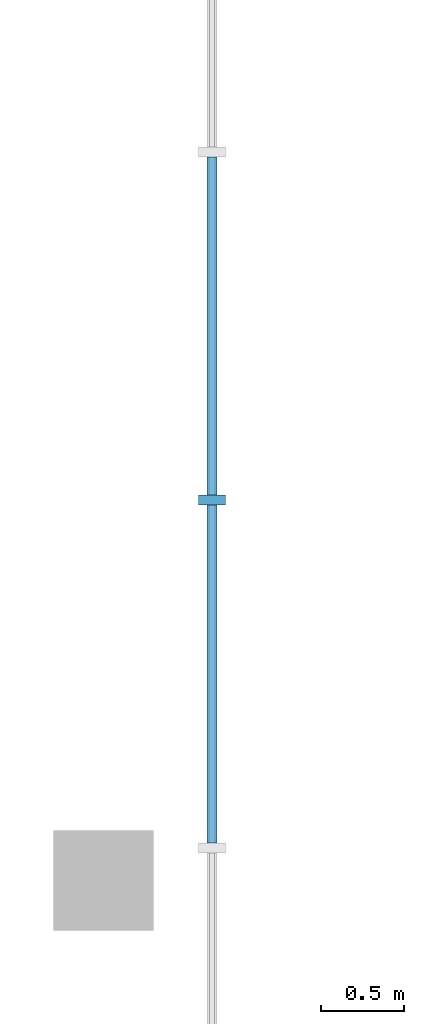
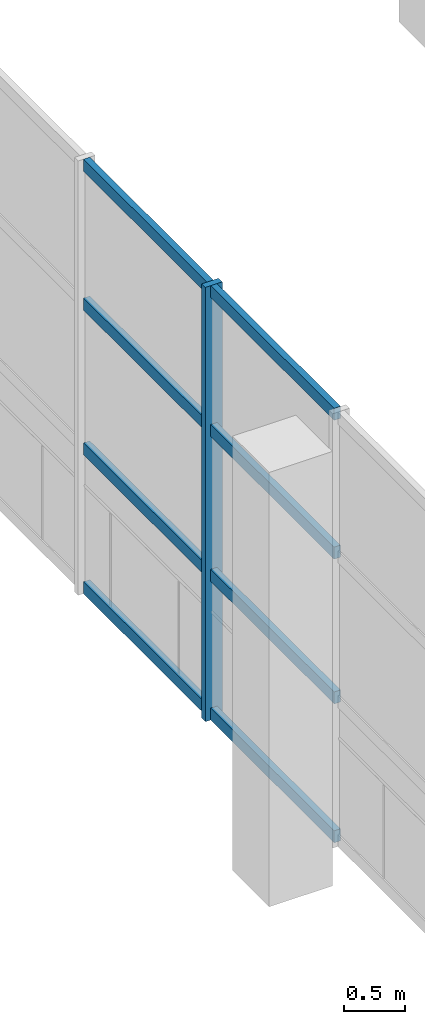
# One storey, part 22 of 67: 9 members, 1 element without a shape of its own.
"""IFC4 building model written with IfcOpenShell, lengths in metres."""

import ifcopenshell
import ifcopenshell.guid

model = None  # the IFC model being written
_history = None  # IfcOwnerHistory: only IFC2X3 demands one
_inside = {}  # id of a spatial element -> (the spatial element, [elements in it])
_under = {}  # id of a project, library or spatial element -> (it, [spatial elements below it])
_declared = {}  # id of a project -> (the project, [libraries it declares])
_typed = {}  # id of a type object -> (the type object, [elements of that type])
_made_of = {}  # id of a material, layer set ... -> (it, [elements and type objects made of it])


def new_model(schema):
    """Start an empty IFC model of exactly this schema.

    Asked for "IFC4X3", IfcOpenShell would pick the latest addendum, in which some entities
    have other attributes; the version numbers below select the first issue.
    IFC2X3 requires an IfcOwnerHistory on every rooted entity: one is made here for all.
    """
    global model, _history
    if schema == "IFC4X3":
        model = ifcopenshell.file(schema_version=(4, 3, 0, 0))
    else:
        model = ifcopenshell.file(schema=schema)
    _inside.clear()
    _under.clear()
    _declared.clear()
    _typed.clear()
    _made_of.clear()
    _history = None
    if model.schema == "IFC2X3":
        org = make("IfcOrganization", Name="unknown")
        user = make(
            "IfcPersonAndOrganization",
            ThePerson=make("IfcPerson", FamilyName="unknown"),
            TheOrganization=org,
        )
        app = make(
            "IfcApplication",
            ApplicationDeveloper=org,
            Version="unknown",
            ApplicationFullName="unknown",
            ApplicationIdentifier="unknown",
        )
        _history = make(
            "IfcOwnerHistory",
            OwningUser=user,
            OwningApplication=app,
            ChangeAction="ADDED",
            CreationDate=0,
        )
    return model


def make(cls, **values):
    """One entity of the class cls with the attributes given. An attribute that is None is left unset."""
    return model.create_entity(
        cls, **{name: value for name, value in values.items() if value is not None}
    )


def rooted(cls, **values):
    """An entity with a GlobalId (a new one), such as an element, a storey or a relation."""
    return make(cls, GlobalId=ifcopenshell.guid.new(), OwnerHistory=_history, **values)


def si_unit(unit_type, name, prefix=None):
    """IfcSIUnit, for example si_unit("LENGTHUNIT", "METRE", prefix="MILLI")."""
    return make("IfcSIUnit", UnitType=unit_type, Prefix=prefix, Name=name)


def assignment(units):
    """IfcUnitAssignment: the units of a project."""
    return None if units is None else make("IfcUnitAssignment", Units=units)


def point(xyz):
    """IfcCartesianPoint."""
    return None if xyz is None else make("IfcCartesianPoint", Coordinates=xyz)


def direction(xyz):
    """IfcDirection."""
    return None if xyz is None else make("IfcDirection", DirectionRatios=xyz)


def frame(location, z_axis=None, x_axis=None):
    """IfcAxis2Placement3D, a coordinate frame: its origin and axes. An axis left out is left unset."""
    return make(
        "IfcAxis2Placement3D",
        Location=point(location),
        Axis=direction(z_axis),
        RefDirection=direction(x_axis),
    )


def frame_2d(location, x_axis=None):
    """IfcAxis2Placement2D, a coordinate frame in the plane: its origin and x axis."""
    return make(
        "IfcAxis2Placement2D", Location=point(location), RefDirection=direction(x_axis)
    )


def origin():
    """The frame at (0, 0, 0) with its axes left unset."""
    return frame((0.0, 0.0, 0.0))


def origin_2d():
    """The frame at (0, 0) in the plane with its x axis left unset."""
    return frame_2d((0.0, 0.0))


def place(relative_to, where):
    """IfcLocalPlacement: puts the frame where relative to a parent placement (None: the world)."""
    return make(
        "IfcLocalPlacement", PlacementRelTo=relative_to, RelativePlacement=where
    )


def context(
    kind, dimensions, precision=None, world=None, true_north=None, identifier=None
):
    """IfcGeometricRepresentationContext, for example the 3D "Model" context."""
    return make(
        "IfcGeometricRepresentationContext",
        ContextIdentifier=identifier,
        ContextType=kind,
        CoordinateSpaceDimension=dimensions,
        Precision=precision,
        WorldCoordinateSystem=world,
        TrueNorth=true_north,
    )


def subcontext(parent, identifier, kind, view, scale=None):
    """IfcGeometricRepresentationSubContext, for example "Body" below "Model"."""
    return make(
        "IfcGeometricRepresentationSubContext",
        ContextIdentifier=identifier,
        ContextType=kind,
        ParentContext=parent,
        TargetScale=scale,
        TargetView=view,
    )


def project(units=None, contexts=None):
    """IfcProject with its units and contexts."""
    return rooted(
        "IfcProject",
        Name="project",
        RepresentationContexts=contexts,
        UnitsInContext=assignment(units),
    )


def spatial(cls, under=None, at=None, **own):
    """A site, building, storey or space (cls), placed at a placement, below another one or the project."""
    s = rooted(cls, ObjectPlacement=at, **own)
    if under is not None:
        _under.setdefault(under.id(), (under, []))[1].append(s)
    return s


def profile(cls, at=None, kind="AREA", **sizes):
    """A parametric profile (cls). Its sizes go by their IFC names, for example OverallWidth=200.0."""
    return make(cls, ProfileType=kind, Position=at, **sizes)


def rectangle(**sizes):
    """IfcRectangleProfileDef."""
    return profile("IfcRectangleProfileDef", **sizes)


def extrude(swept, where, along, depth):
    """IfcExtrudedAreaSolid: the profile swept, set in the frame where, extruded along a direction by depth."""
    return make(
        "IfcExtrudedAreaSolid",
        SweptArea=swept,
        Position=where,
        ExtrudedDirection=direction(along),
        Depth=depth,
    )


def shape(context_of_items, identifier, shape_type, items):
    """IfcShapeRepresentation: the items that make up one representation, for example the "Body"."""
    return make(
        "IfcShapeRepresentation",
        ContextOfItems=context_of_items,
        RepresentationIdentifier=identifier,
        RepresentationType=shape_type,
        Items=items,
    )


def material(Name=None, Category=None):
    """IfcMaterial."""
    return make("IfcMaterial", Name=Name, Category=Category)


def layer(
    of_material, thickness, ventilated=None, Name=None, Category=None, Priority=None
):
    """IfcMaterialLayer: one layer of a wall or slab, of a material (None: an air gap)."""
    return make(
        "IfcMaterialLayer",
        Material=of_material,
        LayerThickness=thickness,
        IsVentilated=ventilated,
        Name=Name,
        Category=Category,
        Priority=Priority,
    )


def layer_set(layers, Name=None):
    """IfcMaterialLayerSet."""
    return make("IfcMaterialLayerSet", MaterialLayers=layers, LayerSetName=Name)


def material_profile(
    of_material, cross_section, Name=None, Category=None, Priority=None
):
    """IfcMaterialProfile: a cross section and its material."""
    return make(
        "IfcMaterialProfile",
        Name=Name,
        Material=of_material,
        Profile=cross_section,
        Priority=Priority,
        Category=Category,
    )


def profile_set(profiles, Name=None, composite=None):
    """IfcMaterialProfileSet."""
    return make(
        "IfcMaterialProfileSet",
        Name=Name,
        MaterialProfiles=profiles,
        CompositeProfile=composite,
    )


def made_of(thing, what):
    """Note that an element or type object is made of a material, layer set ...; save() writes the relation."""
    if what is not None:
        _made_of.setdefault(what.id(), (what, []))[1].append(thing)
    return thing


def type_object(cls, material=None, **own):
    """A type object (cls), such as IfcWallType, which elements share."""
    return made_of(rooted(cls, **own), material)


def element(
    cls,
    number,
    at=None,
    inside=None,
    cuts=None,
    type_object=None,
    material=None,
    context=None,
    identifier="Body",
    shape_type=None,
    held_by="IfcProductDefinitionShape",
    body=None,
    shapes=None,
    **own,
):
    """One element of the class cls, such as IfcWall. Its Tag is "e" and its number.

    at: its placement. inside: the storey or other place that contains it. cuts: it is an
    opening in that element (IfcRelVoidsElement). A single representation is given by context,
    identifier, shape_type and body (its items); several are given by shapes. held_by: the class
    of the entity that holds the representations. save() writes the other relations.
    """
    e = rooted(cls, Tag="e%d" % number, ObjectPlacement=at, **own)
    if body is not None:
        shapes = [shape(context, identifier, shape_type, body)]
    if shapes is not None:
        e.Representation = make(held_by, Representations=shapes)
    if inside is not None:
        _inside.setdefault(inside.id(), (inside, []))[1].append(e)
    if cuts is not None:
        rooted(
            "IfcRelVoidsElement", RelatingBuildingElement=cuts, RelatedOpeningElement=e
        )
    if type_object is not None:
        _typed.setdefault(type_object.id(), (type_object, []))[1].append(e)
    return made_of(e, material)


def aggregate(whole, parts):
    """IfcRelAggregates: a whole, such as a stair, and the parts it consists of."""
    return rooted("IfcRelAggregates", RelatingObject=whole, RelatedObjects=parts)


def save(model, path):
    """Write the relations noted so far, then the file.

    IfcRelAggregates (storeys below a building ...), IfcRelContainedInSpatialStructure (elements
    in a storey), IfcRelDefinesByType, IfcRelAssociatesMaterial and IfcRelDeclares: one each for
    every whole, place, type object, material and project.
    """
    for whole, parts in _under.values():
        aggregate(whole, parts)
    for where, things in _inside.values():
        rooted(
            "IfcRelContainedInSpatialStructure",
            RelatedElements=things,
            RelatingStructure=where,
        )
    for kind, things in _typed.values():
        rooted("IfcRelDefinesByType", RelatedObjects=things, RelatingType=kind)
    for what, things in _made_of.values():
        rooted("IfcRelAssociatesMaterial", RelatedObjects=things, RelatingMaterial=what)
    for by, libraries in _declared.values():
        rooted("IfcRelDeclares", RelatingContext=by, RelatedDefinitions=libraries)
    model.write(path)


model = new_model("IFC4")

# Units and contexts
model_context = context("Model", 3, precision=1e-05, world=origin(), true_north=direction((0.0, 1.0)))
body_context = subcontext(model_context, "Body", "Model", "MODEL_VIEW")
ifc_project = project(units=[si_unit("LENGTHUNIT", "METRE"), si_unit("AREAUNIT", "SQUARE_METRE"), si_unit("VOLUMEUNIT", "CUBIC_METRE"), si_unit("PLANEANGLEUNIT", "RADIAN"), si_unit("MASSUNIT", "GRAM", prefix="KILO")], contexts=[model_context])

# Site, building, storey
site_placement = place(None, origin())
site = spatial("IfcSite", under=ifc_project, at=site_placement, CompositionType="ELEMENT")
building_placement = place(site_placement, origin())
building = spatial("IfcBuilding", under=site, at=building_placement, Name="Kiln Court Media Centre", CompositionType="ELEMENT")
storey_placement = place(building_placement, frame((0.0, 0.0, 19.800048828125)))
storey = spatial("IfcBuildingStorey", under=building, at=storey_placement, Name="L04", CompositionType="ELEMENT", Elevation=19.800048828125)

# Curtain wall, members
ifc_material_1 = material(Name="Aluminium 6063-T6", Category="aluminium")
ifc_layer = layer(ifc_material_1, 0.1201171875)
ifc_layer_set = layer_set([ifc_layer], Name="Aluminium stick curtain wall, clerestory")
curtain_wall_type = type_object("IfcCurtainWallType", Name="Aluminium stick curtain wall, clerestory", PredefinedType="USERDEFINED", material=ifc_layer_set)
curtain_wall_placement = place(storey_placement, origin())
curtain_wall = element("IfcCurtainWall", 1, at=curtain_wall_placement, inside=storey, type_object=curtain_wall_type, Name="Foyer east clerestory", ObjectType="STICK CURTAIN WALL", PredefinedType="USERDEFINED")
ifc_material_2 = material(Name="Aluminium 6063-T6", Category="aluminium")
ifc_material_profile_1 = material_profile(ifc_material_2, rectangle(XDim=0.06005859375, YDim=0.159912109375, at=origin_2d()), Name="Aluminium hall mullion 60x160")
ifc_profile_set_1 = profile_set([ifc_material_profile_1], Name="Aluminium 6063-T6")
member_type_1 = type_object("IfcMemberType", Name="Aluminium hall mullion 60x160", PredefinedType="MULLION", material=ifc_profile_set_1)
member_1_placement = place(storey_placement, frame((58.800048828125, 61.0830078125, 0.0), z_axis=(0.0, 0.0, 1.0), x_axis=(0.0, 1.0, 0.0)))
member_1 = element("IfcMember", 2, at=member_1_placement, type_object=member_type_1, Name="CW4-63 mullion 14", PredefinedType="MULLION", context=body_context, shape_type="SweptSolid", body=[
    extrude(rectangle(XDim=0.06005859375, YDim=0.159912109375, at=origin_2d()), origin(), (0.0, 0.0, 1.0), 4.349853515625),
])
ifc_material_3 = material(Name="Aluminium 6063-T6", Category="aluminium")
ifc_material_profile_2 = material_profile(ifc_material_3, rectangle(XDim=0.06005859375, YDim=0.1201171875, at=origin_2d()), Name="Aluminium hall transom 60x120")
ifc_profile_set_2 = profile_set([ifc_material_profile_2], Name="Aluminium 6063-T6")
member_type_2 = type_object("IfcMemberType", Name="Aluminium hall transom 60x120", PredefinedType="USERDEFINED", material=ifc_profile_set_2)
member_2_placement = place(storey_placement, frame((58.800048828125, 59.02587890625, 0.06005859375), z_axis=(0.0, 1.0, 0.0), x_axis=(-1.0, 0.0, 0.0)))
member_2 = element("IfcMember", 3, at=member_2_placement, type_object=member_type_2, Name="CW4-63 transom 13.1", ObjectType="TRANSOM", PredefinedType="USERDEFINED", context=body_context, shape_type="SweptSolid", body=[
    extrude(rectangle(XDim=0.06005859375, YDim=0.1201171875, at=origin_2d()), origin(), (0.0, 0.0, 1.0), 2.027099609375),
])
member_3_placement = place(storey_placement, frame((58.800048828125, 59.02587890625, 1.449951171875), z_axis=(0.0, 1.0, 0.0), x_axis=(-1.0, 0.0, 0.0)))
member_3 = element("IfcMember", 4, at=member_3_placement, type_object=member_type_2, Name="CW4-63 transom 13.2", ObjectType="TRANSOM", PredefinedType="USERDEFINED", context=body_context, shape_type="SweptSolid", body=[
    extrude(rectangle(XDim=0.06005859375, YDim=0.1201171875, at=origin_2d()), origin(), (0.0, 0.0, 1.0), 2.027099609375),
])
member_4_placement = place(storey_placement, frame((58.800048828125, 59.02587890625, 2.89990234375), z_axis=(0.0, 1.0, 0.0), x_axis=(-1.0, 0.0, 0.0)))
member_4 = element("IfcMember", 5, at=member_4_placement, type_object=member_type_2, Name="CW4-63 transom 13.3", ObjectType="TRANSOM", PredefinedType="USERDEFINED", context=body_context, shape_type="SweptSolid", body=[
    extrude(rectangle(XDim=0.06005859375, YDim=0.1201171875, at=origin_2d()), origin(), (0.0, 0.0, 1.0), 2.027099609375),
])
member_5_placement = place(storey_placement, frame((58.800048828125, 59.02587890625, 4.2900390625), z_axis=(0.0, 1.0, 0.0), x_axis=(-1.0, 0.0, 0.0)))
member_5 = element("IfcMember", 6, at=member_5_placement, type_object=member_type_2, Name="CW4-63 transom 13.4", ObjectType="TRANSOM", PredefinedType="USERDEFINED", context=body_context, shape_type="SweptSolid", body=[
    extrude(rectangle(XDim=0.06005859375, YDim=0.1201171875, at=origin_2d()), origin(), (0.0, 0.0, 1.0), 2.027099609375),
])
member_6_placement = place(storey_placement, frame((58.800048828125, 61.113037109375, 0.06005859375), z_axis=(0.0, 1.0, 0.0), x_axis=(-1.0, 0.0, 0.0)))
member_6 = element("IfcMember", 7, at=member_6_placement, type_object=member_type_2, Name="CW4-63 transom 14.1", ObjectType="TRANSOM", PredefinedType="USERDEFINED", context=body_context, shape_type="SweptSolid", body=[
    extrude(rectangle(XDim=0.06005859375, YDim=0.1201171875, at=origin_2d()), origin(), (0.0, 0.0, 1.0), 2.027099609375),
])
member_7_placement = place(storey_placement, frame((58.800048828125, 61.113037109375, 1.449951171875), z_axis=(0.0, 1.0, 0.0), x_axis=(-1.0, 0.0, 0.0)))
member_7 = element("IfcMember", 8, at=member_7_placement, type_object=member_type_2, Name="CW4-63 transom 14.2", ObjectType="TRANSOM", PredefinedType="USERDEFINED", context=body_context, shape_type="SweptSolid", body=[
    extrude(rectangle(XDim=0.06005859375, YDim=0.1201171875, at=origin_2d()), origin(), (0.0, 0.0, 1.0), 2.027099609375),
])
member_8_placement = place(storey_placement, frame((58.800048828125, 61.113037109375, 2.89990234375), z_axis=(0.0, 1.0, 0.0), x_axis=(-1.0, 0.0, 0.0)))
member_8 = element("IfcMember", 9, at=member_8_placement, type_object=member_type_2, Name="CW4-63 transom 14.3", ObjectType="TRANSOM", PredefinedType="USERDEFINED", context=body_context, shape_type="SweptSolid", body=[
    extrude(rectangle(XDim=0.06005859375, YDim=0.1201171875, at=origin_2d()), origin(), (0.0, 0.0, 1.0), 2.027099609375),
])
member_9_placement = place(storey_placement, frame((58.800048828125, 61.113037109375, 4.2900390625), z_axis=(0.0, 1.0, 0.0), x_axis=(-1.0, 0.0, 0.0)))
member_9 = element("IfcMember", 10, at=member_9_placement, type_object=member_type_2, Name="CW4-63 transom 14.4", ObjectType="TRANSOM", PredefinedType="USERDEFINED", context=body_context, shape_type="SweptSolid", body=[
    extrude(rectangle(XDim=0.06005859375, YDim=0.1201171875, at=origin_2d()), origin(), (0.0, 0.0, 1.0), 2.027099609375),
])
aggregate(curtain_wall, [member_1, member_2, member_3, member_4, member_5, member_6, member_7, member_8, member_9])

save(model, "model.ifc")
